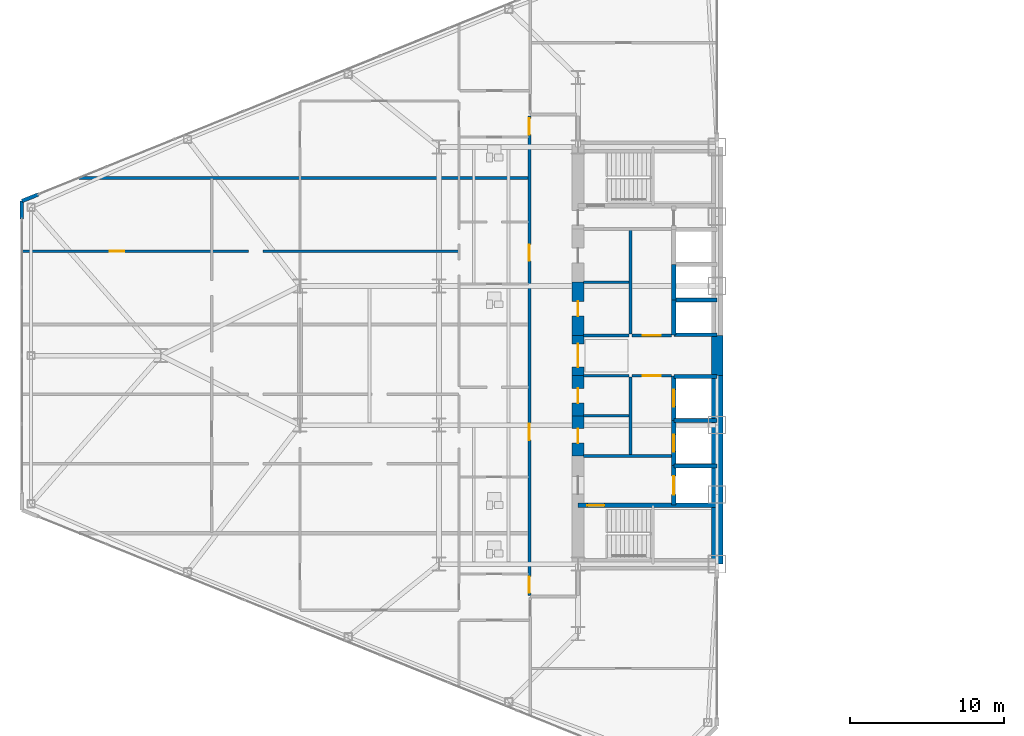
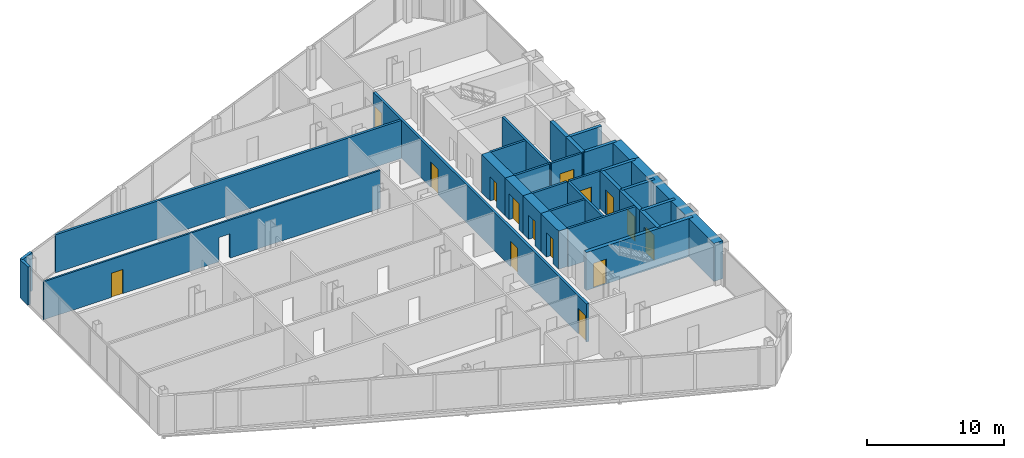
# One storey, part 18 of 25: 31 walls, 15 doors, 16 openings.
"""IFC4 building model written with IfcOpenShell, lengths in metres."""

from ifc_helpers import new_model, si_unit, direction, frame, frame_2d, origin, place, context, subcontext, project, spatial, rectangle, extrude, source, transform, mapped, material, layer, layer_set, type_object, type_shapes, element, fill, save


model = new_model("IFC4")

# Units and contexts
model_context = context("Model", 3, precision=1e-05, world=origin(), true_north=direction((0.0, 1.0)))
body_context = subcontext(model_context, "Body", "Model", "MODEL_VIEW")
ifc_project = project(units=[si_unit("LENGTHUNIT", "METRE"), si_unit("AREAUNIT", "SQUARE_METRE"), si_unit("VOLUMEUNIT", "CUBIC_METRE"), si_unit("PLANEANGLEUNIT", "RADIAN"), si_unit("MASSUNIT", "GRAM", prefix="KILO")], contexts=[model_context])

# Site, building, storey
site_placement = place(None, origin())
site = spatial("IfcSite", under=ifc_project, at=site_placement, CompositionType="ELEMENT")
building_placement = place(site_placement, origin())
building = spatial("IfcBuilding", under=site, at=building_placement, Name="Seokmaru Belvedere", CompositionType="ELEMENT")
storey_placement = place(building_placement, frame((0.0, 0.0, 26.10009765625)))
storey = spatial("IfcBuildingStorey", under=building, at=storey_placement, Name="L06", CompositionType="ELEMENT", Elevation=26.10009765625)

# Wall, openings, door
ifc_material_1 = material(Name="Fire-Rated Gypsum Shaftwall")
ifc_layer_1 = layer(ifc_material_1, 0.14990234375)
ifc_layer_set_1 = layer_set([ifc_layer_1], Name="Fire-Rated Gypsum Shaftwall")
wall_type_1 = type_object("IfcWallType", Name="Apartment Fire-Acoustic Room Partition 150", PredefinedType="PARTITIONING", material=ifc_layer_set_1)
wall_1_placement = place(storey_placement, frame((-72.534912109375, 6.75, 0.0), z_axis=(0.0, 0.0, 1.0), x_axis=(1.0, 0.0, 0.0)))
wall_1 = element("IfcWall", 1, at=wall_1_placement, inside=storey, type_object=wall_type_1, Name="L06 Interior Partition 024", PredefinedType="PARTITIONING", context=body_context, shape_type="SweptSolid", body=[
    extrude(rectangle(XDim=28.284912109375, YDim=0.14990234375, at=frame_2d((14.142578125, 0.0))), origin(), (0.0, 0.0, 1.0), 3.3798828125),
])
opening_1_placement = place(wall_1_placement, frame((5.7099609375, 0.0, 0.0)))
opening_1 = element("IfcOpeningElement", 2, at=opening_1_placement, cuts=wall_1, Name="Opening D05", PredefinedType="OPENING", context=body_context, shape_type="SweptSolid", body=[
    extrude(rectangle(XDim=0.949951171875, YDim=2.14990234375, at=frame_2d((0.47509765625, 1.074951171875))), frame((0.0, 0.0849609375, 0.0), z_axis=(0.0, -1.0, 0.0), x_axis=(1.0, 0.0, 0.0)), (0.0, 0.0, 1.0), 0.169921875),
])
opening_2_placement = place(wall_1_placement, frame((14.7099609375, 0.0, 0.0)))
element("IfcOpeningElement", 3, at=opening_2_placement, cuts=wall_1, Name="L06 Cased Opening 029", PredefinedType="OPENING", context=body_context, shape_type="SweptSolid", body=[
    extrude(rectangle(XDim=0.949951171875, YDim=2.14990234375, at=frame_2d((0.47509765625, 1.074951171875))), frame((0.0, 0.0849609375, 0.0), z_axis=(0.0, -1.0, 0.0), x_axis=(1.0, 0.0, 0.0)), (0.0, 0.0, 1.0), 0.169921875),
])
ifc_material_2 = material(Name="Engineered White Oak Timber", Category="wood")
door_type_1 = type_object("IfcDoorType", Name="Apartment Interior Fire-Rated Oak Door 950x2150", OperationType="NOTDEFINED", PredefinedType="DOOR", material=ifc_material_2)
shared_shape_1 = source(origin(), body_context, "Body", "SweptSolid", [
    extrude(rectangle(XDim=0.949951171875, YDim=2.14990234375, at=frame_2d((0.47509765625, 1.074951171875))), frame((0.0, 0.02490234375, 0.0), z_axis=(0.0, -1.0, 0.0), x_axis=(1.0, 0.0, 0.0)), (0.0, 0.0, 1.0), 0.050048828125),
])
type_shapes(door_type_1, [shared_shape_1])
door_1_placement = place(opening_1_placement, origin())
door_1 = element("IfcDoor", 4, at=door_1_placement, inside=storey, type_object=door_type_1, Name="L06 Interior Door 028", OperationType="SINGLE_SWING_LEFT", OverallHeight=2.14990234375, OverallWidth=0.949951171875, PredefinedType="DOOR", context=body_context, shape_type="MappedRepresentation", body=[
    mapped(shared_shape_1, transform((0.0, 0.0, 0.0), scale=1.0)),
])
fill(opening_1, door_1)

# Walls
ifc_layer_2 = layer(ifc_material_1, 0.179931640625)
ifc_layer_set_2 = layer_set([ifc_layer_2], Name="Fire-Rated Gypsum Shaftwall")
wall_type_2 = type_object("IfcWallType", Name="Core Service Fire Partition 180", PredefinedType="PARTITIONING", material=ifc_layer_set_2)
wall_2_placement = place(storey_placement, frame((-36.14990234375, -6.5, 0.0), z_axis=(0.0, 0.0, 1.0), x_axis=(1.0, 0.0, 0.0)))
element("IfcWall", 5, at=wall_2_placement, inside=storey, type_object=wall_type_2, Name="L06 West Firefighting Lobby Partition", PredefinedType="PARTITIONING", context=body_context, shape_type="SweptSolid", body=[
    extrude(rectangle(XDim=5.699951171875, YDim=0.179931640625, at=frame_2d((2.85009765625, 0.0))), origin(), (0.0, 0.0, 1.0), 3.3798828125),
])
wall_3_placement = place(storey_placement, frame((-33.10009765625, -6.419921875, 0.0), z_axis=(0.0, 0.0, 1.0), x_axis=(0.0, 1.0, 0.0)))
element("IfcWall", 6, at=wall_3_placement, inside=storey, type_object=wall_type_2, Name="L06 West South Core Service Back Wall", PredefinedType="PARTITIONING", context=body_context, shape_type="SweptSolid", body=[
    extrude(rectangle(XDim=5.0400390625, YDim=0.179931640625, at=frame_2d((2.52001953125, 0.0))), origin(), (0.0, 0.0, 1.0), 3.3798828125),
])
wall_4_placement = place(storey_placement, frame((-33.10009765625, 1.3798828125, 0.0), z_axis=(0.0, 0.0, 1.0), x_axis=(0.0, 1.0, 0.0)))
element("IfcWall", 7, at=wall_4_placement, inside=storey, type_object=wall_type_2, Name="L06 West North Core Service Back Wall", PredefinedType="PARTITIONING", context=body_context, shape_type="SweptSolid", body=[
    extrude(rectangle(XDim=6.740234375, YDim=0.179931640625, at=frame_2d((3.3701171875, 0.0))), origin(), (0.0, 0.0, 1.0), 3.3798828125),
])

# Wall, opening, door
wall_5_placement = place(storey_placement, frame((-33.02001953125, -1.300048828125, 0.0), z_axis=(0.0, 0.0, 1.0), x_axis=(1.0, 0.0, 0.0)))
wall_5 = element("IfcWall", 8, at=wall_5_placement, inside=storey, type_object=wall_type_2, Name="L06 West South Lift Lobby Foyer Wall", PredefinedType="PARTITIONING", context=body_context, shape_type="SweptSolid", body=[
    extrude(rectangle(XDim=2.570068359375, YDim=0.179931640625, at=frame_2d((1.28515625, 0.0))), origin(), (0.0, 0.0, 1.0), 3.3798828125),
])
opening_3_placement = place(wall_5_placement, frame((0.7099609375, 0.0, 0.0)))
opening_3 = element("IfcOpeningElement", 9, at=opening_3_placement, cuts=wall_5, Name="Opening D02", PredefinedType="OPENING", context=body_context, shape_type="SweptSolid", body=[
    extrude(rectangle(XDim=1.14990234375, YDim=2.199951171875, at=frame_2d((0.574951171875, 1.10009765625))), frame((0.0, 0.10009765625, 0.0), z_axis=(0.0, -1.0, 0.0), x_axis=(1.0, 0.0, 0.0)), (0.0, 0.0, 1.0), 0.199951171875),
])
ifc_material_3 = material(Name="Fire-Rated Steel Leaf", Category="steel")
door_type_2 = type_object("IfcDoorType", Name="Lobby and Vestibule Fire Door 1150x2200", OperationType="NOTDEFINED", PredefinedType="DOOR", material=ifc_material_3)
shared_shape_2 = source(origin(), body_context, "Body", "SweptSolid", [
    extrude(rectangle(XDim=1.14990234375, YDim=2.199951171875, at=frame_2d((0.574951171875, 1.10009765625))), frame((0.0, 0.02490234375, 0.0), z_axis=(0.0, -1.0, 0.0), x_axis=(1.0, 0.0, 0.0)), (0.0, 0.0, 1.0), 0.050048828125),
])
type_shapes(door_type_2, [shared_shape_2])
door_2_placement = place(opening_3_placement, origin())
door_2 = element("IfcDoor", 10, at=door_2_placement, inside=storey, type_object=door_type_2, Name="L06 West South Core Foyer Door", OperationType="SINGLE_SWING_LEFT", OverallHeight=2.199951171875, OverallWidth=1.14990234375, PredefinedType="DOOR", context=body_context, shape_type="MappedRepresentation", body=[
    mapped(shared_shape_2, transform((0.0, 0.0, 0.0), scale=1.0)),
])
fill(opening_3, door_2)

wall_6_placement = place(storey_placement, frame((-33.02001953125, 1.300048828125, 0.0), z_axis=(0.0, 0.0, 1.0), x_axis=(1.0, 0.0, 0.0)))
wall_6 = element("IfcWall", 11, at=wall_6_placement, inside=storey, type_object=wall_type_2, Name="L06 West North Lift Lobby Foyer Wall", PredefinedType="PARTITIONING", context=body_context, shape_type="SweptSolid", body=[
    extrude(rectangle(XDim=2.570068359375, YDim=0.179931640625, at=frame_2d((1.28515625, 0.0))), origin(), (0.0, 0.0, 1.0), 3.3798828125),
])
opening_4_placement = place(wall_6_placement, frame((0.7099609375, 0.0, 0.0)))
opening_4 = element("IfcOpeningElement", 12, at=opening_4_placement, cuts=wall_6, Name="Opening D02", PredefinedType="OPENING", context=body_context, shape_type="SweptSolid", body=[
    extrude(rectangle(XDim=1.14990234375, YDim=2.199951171875, at=frame_2d((0.574951171875, 1.10009765625))), frame((0.0, 0.10009765625, 0.0), z_axis=(0.0, -1.0, 0.0), x_axis=(1.0, 0.0, 0.0)), (0.0, 0.0, 1.0), 0.199951171875),
])
door_3_placement = place(opening_4_placement, origin())
door_3 = element("IfcDoor", 13, at=door_3_placement, inside=storey, type_object=door_type_2, Name="L06 West North Lift Lobby Door", OperationType="SINGLE_SWING_RIGHT", OverallHeight=2.199951171875, OverallWidth=1.14990234375, PredefinedType="DOOR", context=body_context, shape_type="MappedRepresentation", body=[
    mapped(shared_shape_2, transform((0.0, 0.0, 0.0), scale=1.0)),
])
fill(opening_4, door_3)

# Walls
for number, where, z_axis, x_axis, name in (
    (14, (-36.14990234375, -1.300048828125, 0.0), (0.0, 0.0, 1.0), (1.0, 0.0, 0.0), "L06 West Foyer Side Wall S"),
    (15, (-36.14990234375, 1.300048828125, 0.0), (0.0, 0.0, 1.0), (1.0, 0.0, 0.0), "L06 West Foyer Side Wall N"),
    (16, (-36.14990234375, -3.89990234375, 0.0), (0.0, 0.0, 1.0), (1.0, 0.0, 0.0), "L06 West Core Service Partition 1"),
    (17, (-36.14990234375, 4.75, 0.0), (0.0, 0.0, 1.0), (1.0, 0.0, 0.0), "L06 West Core Service Partition 2"),
):
    element("IfcWall", number, at=place(storey_placement, frame(where, z_axis=z_axis, x_axis=x_axis)), inside=storey, type_object=wall_type_2, Name=name, PredefinedType="PARTITIONING", context=body_context, shape_type="SweptSolid", body=[
        extrude(rectangle(XDim=2.949951171875, YDim=0.179931640625, at=frame_2d((1.47509765625, 0.0))), origin(), (0.0, 0.0, 1.0), 3.3798828125),
    ])
ifc_material_4 = material(Name="Concrete C50 (50 MPa)", Category="concrete")
ifc_layer_3 = layer(ifc_material_4, 0.25)
ifc_layer_set_3 = layer_set([ifc_layer_3], Name="Concrete C50 (50 MPa)")
wall_type_3 = type_object("IfcWallType", Name="Hoistway Transverse Concrete Divider Wall 250", PredefinedType="SHEAR", material=ifc_layer_set_3)
for number, where, z_axis, x_axis, name in (
    (18, (-30.300048828125, -7.14990234375, 0.0), (0.0, 0.0, 1.0), (1.0, 0.0, 0.0), "L06 West Hoistway Divider Core Wall 1"),
    (19, (-30.300048828125, -4.199951171875, 0.0), (0.0, 0.0, 1.0), (1.0, 0.0, 0.0), "L06 West Hoistway Divider Core Wall 2"),
    (20, (-30.300048828125, -1.35009765625, 0.0), (0.0, 0.0, 1.0), (1.0, 0.0, 0.0), "L06 West Hoistway Divider Core Wall 3"),
    (21, (-30.300048828125, 1.35009765625, 0.0), (0.0, 0.0, 1.0), (1.0, 0.0, 0.0), "L06 West Hoistway Divider Core Wall 4"),
    (22, (-30.300048828125, 3.60009765625, 0.0), (0.0, 0.0, 1.0), (1.0, 0.0, 0.0), "L06 West Hoistway Divider Core Wall 5"),
):
    element("IfcWall", number, at=place(storey_placement, frame(where, z_axis=z_axis, x_axis=x_axis)), inside=storey, type_object=wall_type_3, Name=name, PredefinedType="SHEAR", context=body_context, shape_type="SweptSolid", body=[
        extrude(rectangle(XDim=2.800048828125, YDim=0.25, at=frame_2d((1.39990234375, 0.0))), origin(), (0.0, 0.0, 1.0), 3.3798828125),
    ])
ifc_layer_4 = layer(ifc_material_1, 0.199951171875)
ifc_layer_set_4 = layer_set([ifc_layer_4], Name="Fire-Rated Gypsum Shaftwall")
wall_type_4 = type_object("IfcWallType", Name="Inter-Tenancy Fire Compartment Partition 200", PredefinedType="PARTITIONING", material=ifc_layer_set_4)
wall_7_placement = place(storey_placement, frame((-68.806884765625, 11.5, 0.0), z_axis=(0.0, 0.0, 1.0), x_axis=(1.0, 0.0, 0.0)))
element("IfcWall", 23, at=wall_7_placement, inside=storey, type_object=wall_type_4, Name="L06 Interior Partition 028", PredefinedType="PARTITIONING", context=body_context, shape_type="SweptSolid", body=[
    extrude(rectangle(XDim=29.076904296875, YDim=0.199951171875, at=frame_2d((14.53857421875, 0.0))), origin(), (0.0, 0.0, 1.0), 3.3798828125),
])

# Wall, openings, doors
wall_8_placement = place(storey_placement, frame((-39.64990234375, -15.514892578125, 0.0), z_axis=(0.0, 0.0, 1.0), x_axis=(0.0, 1.0, 0.0)))
wall_8 = element("IfcWall", 24, at=wall_8_placement, inside=storey, type_object=wall_type_4, Name="L06 Interior Partition 045", PredefinedType="PARTITIONING", context=body_context, shape_type="SweptSolid", body=[
    extrude(rectangle(XDim=31.02978515625, YDim=0.199951171875, at=frame_2d((15.514892578125, 0.0))), origin(), (0.0, 0.0, 1.0), 3.3798828125),
])
opening_5_placement = place(wall_8_placement, frame((0.159912109375, 0.0, 0.0)))
opening_5 = element("IfcOpeningElement", 25, at=opening_5_placement, cuts=wall_8, Name="Opening D03", PredefinedType="OPENING", context=body_context, shape_type="SweptSolid", body=[
    extrude(rectangle(XDim=1.050048828125, YDim=2.25, at=frame_2d((0.52490234375, 1.125))), frame((0.0, 0.10986328125, 0.0), z_axis=(0.0, -1.0, 0.0), x_axis=(1.0, 0.0, 0.0)), (0.0, 0.0, 1.0), 0.219970703125),
])
opening_6_placement = place(wall_8_placement, frame((10.03759765625, 0.0, 0.0)))
opening_6 = element("IfcOpeningElement", 26, at=opening_6_placement, cuts=wall_8, Name="Opening D03", PredefinedType="OPENING", context=body_context, shape_type="SweptSolid", body=[
    extrude(rectangle(XDim=1.050048828125, YDim=2.25, at=frame_2d((0.52490234375, 1.125))), frame((0.0, 0.10986328125, 0.0), z_axis=(0.0, -1.0, 0.0), x_axis=(1.0, 0.0, 0.0)), (0.0, 0.0, 1.0), 0.219970703125),
])
opening_7_placement = place(wall_8_placement, frame((21.638427734375, 0.0, 0.0)))
opening_7 = element("IfcOpeningElement", 27, at=opening_7_placement, cuts=wall_8, Name="Opening D03", PredefinedType="OPENING", context=body_context, shape_type="SweptSolid", body=[
    extrude(rectangle(XDim=1.050048828125, YDim=2.25, at=frame_2d((0.52490234375, 1.125))), frame((0.0, 0.10986328125, 0.0), z_axis=(0.0, -1.0, 0.0), x_axis=(1.0, 0.0, 0.0)), (0.0, 0.0, 1.0), 0.219970703125),
])
opening_8_placement = place(wall_8_placement, frame((29.820068359375, 0.0, 0.0)))
opening_8 = element("IfcOpeningElement", 28, at=opening_8_placement, cuts=wall_8, Name="Opening D03", PredefinedType="OPENING", context=body_context, shape_type="SweptSolid", body=[
    extrude(rectangle(XDim=1.050048828125, YDim=2.25, at=frame_2d((0.52490234375, 1.125))), frame((0.0, 0.10986328125, 0.0), z_axis=(0.0, -1.0, 0.0), x_axis=(1.0, 0.0, 0.0)), (0.0, 0.0, 1.0), 0.219970703125),
])
door_type_3 = type_object("IfcDoorType", Name="Apartment Entrance Fire Door 1050x2250", OperationType="NOTDEFINED", PredefinedType="DOOR", material=ifc_material_3)
shared_shape_3 = source(origin(), body_context, "Body", "SweptSolid", [
    extrude(rectangle(XDim=1.050048828125, YDim=2.25, at=frame_2d((0.52490234375, 1.125))), frame((0.0, 0.02490234375, 0.0), z_axis=(0.0, -1.0, 0.0), x_axis=(1.0, 0.0, 0.0)), (0.0, 0.0, 1.0), 0.050048828125),
])
type_shapes(door_type_3, [shared_shape_3])
door_4_placement = place(opening_5_placement, origin())
door_4 = element("IfcDoor", 29, at=door_4_placement, inside=storey, type_object=door_type_3, Name="L06 Interior Door 001", OperationType="SINGLE_SWING_RIGHT", OverallHeight=2.25, OverallWidth=1.050048828125, PredefinedType="DOOR", context=body_context, shape_type="MappedRepresentation", body=[
    mapped(shared_shape_3, transform((0.0, 0.0, 0.0), scale=1.0)),
])
fill(opening_5, door_4)
door_5_placement = place(opening_6_placement, origin())
door_5 = element("IfcDoor", 30, at=door_5_placement, inside=storey, type_object=door_type_3, Name="L06 Interior Door 009", OperationType="SINGLE_SWING_LEFT", OverallHeight=2.25, OverallWidth=1.050048828125, PredefinedType="DOOR", context=body_context, shape_type="MappedRepresentation", body=[
    mapped(shared_shape_3, transform((0.0, 0.0, 0.0), scale=1.0)),
])
fill(opening_6, door_5)
door_6_placement = place(opening_7_placement, origin())
door_6 = element("IfcDoor", 31, at=door_6_placement, inside=storey, type_object=door_type_3, Name="L06 Interior Door 021", OperationType="SINGLE_SWING_RIGHT", OverallHeight=2.25, OverallWidth=1.050048828125, PredefinedType="DOOR", context=body_context, shape_type="MappedRepresentation", body=[
    mapped(shared_shape_3, transform((0.0, 0.0, 0.0), scale=1.0)),
])
fill(opening_7, door_6)
door_7_placement = place(opening_8_placement, origin())
door_7 = element("IfcDoor", 32, at=door_7_placement, inside=storey, type_object=door_type_3, Name="L06 Interior Door 030", OperationType="SINGLE_SWING_LEFT", OverallHeight=2.25, OverallWidth=1.050048828125, PredefinedType="DOOR", context=body_context, shape_type="MappedRepresentation", body=[
    mapped(shared_shape_3, transform((0.0, 0.0, 0.0), scale=1.0)),
])
fill(opening_8, door_7)

# Wall, opening, door
ifc_layer_5 = layer(ifc_material_4, 0.300048828125)
ifc_layer_set_5 = layer_set([ifc_layer_5], Name="Concrete C50 (50 MPa)")
wall_type_5 = type_object("IfcWallType", Name="Internal Core Stair and Hoistway Wall 300", PredefinedType="SHEAR", material=ifc_layer_set_5)
wall_9_placement = place(storey_placement, frame((-36.5, -9.699951171875, 0.0), z_axis=(0.0, 0.0, 1.0), x_axis=(1.0, 0.0, 0.0)))
wall_9 = element("IfcWall", 33, at=wall_9_placement, inside=storey, type_object=wall_type_5, Name="L06 West Stair ST-1 Enclosure Wall", PredefinedType="SHEAR", context=body_context, shape_type="SweptSolid", body=[
    extrude(rectangle(XDim=9.0, YDim=0.300048828125, at=frame_2d((4.5, 0.0))), origin(), (0.0, 0.0, 1.0), 3.3798828125),
])
opening_9_placement = place(wall_9_placement, frame((0.60009765625, 0.0, 0.0)))
opening_9 = element("IfcOpeningElement", 34, at=opening_9_placement, cuts=wall_9, Name="Opening D01", PredefinedType="OPENING", context=body_context, shape_type="SweptSolid", body=[
    extrude(rectangle(XDim=1.10009765625, YDim=2.199951171875, at=frame_2d((0.550048828125, 1.10009765625))), frame((0.0, 0.16015625, 0.0), z_axis=(0.0, -1.0, 0.0), x_axis=(1.0, 0.0, 0.0)), (0.0, 0.0, 1.0), 0.320068359375),
])
door_type_4 = type_object("IfcDoorType", Name="Special Escape Stair Smokeproof Fire Door 1100x2200", OperationType="NOTDEFINED", PredefinedType="DOOR", material=ifc_material_3)
shared_shape_4 = source(origin(), body_context, "Body", "SweptSolid", [
    extrude(rectangle(XDim=1.10009765625, YDim=2.199951171875, at=frame_2d((0.550048828125, 1.10009765625))), frame((0.0, 0.02490234375, 0.0), z_axis=(0.0, -1.0, 0.0), x_axis=(1.0, 0.0, 0.0)), (0.0, 0.0, 1.0), 0.050048828125),
])
type_shapes(door_type_4, [shared_shape_4])
door_8_placement = place(opening_9_placement, frame((1.10009765625, 0.0, 0.0), z_axis=(0.0, 0.0, 1.0), x_axis=(-1.0, 0.0, 0.0)))
door_8 = element("IfcDoor", 35, at=door_8_placement, inside=storey, type_object=door_type_4, Name="L06 West Special Escape Stair ST-1 Door", OperationType="SINGLE_SWING_LEFT", OverallHeight=2.199951171875, OverallWidth=1.10009765625, PredefinedType="DOOR", context=body_context, shape_type="MappedRepresentation", body=[
    mapped(shared_shape_4, transform((0.0, 0.0, 0.0), scale=1.0)),
])
fill(opening_9, door_8)

wall_10_placement = place(storey_placement, frame((-30.300048828125, -9.679931640625, 0.0), z_axis=(0.0, 0.0, 1.0), x_axis=(0.0, 1.0, 0.0)))
wall_10 = element("IfcWall", 36, at=wall_10_placement, inside=storey, type_object=wall_type_5, Name="L06 West Firefighting Lift Shaft Front Wall", PredefinedType="SHEAR", context=body_context, shape_type="SweptSolid", body=[
    extrude(rectangle(XDim=2.559814453125, YDim=0.300048828125, at=frame_2d((1.27978515625, 0.0))), origin(), (0.0, 0.0, 1.0), 3.3798828125),
])
opening_10_placement = place(wall_10_placement, frame((0.679931640625, 0.0, 0.0)))
opening_10 = element("IfcOpeningElement", 37, at=opening_10_placement, cuts=wall_10, Name="Opening LD2", PredefinedType="OPENING", context=body_context, shape_type="SweptSolid", body=[
    extrude(rectangle(XDim=1.199951171875, YDim=2.25, at=frame_2d((0.60009765625, 1.125))), frame((0.0, 0.16015625, 0.0), z_axis=(0.0, -1.0, 0.0), x_axis=(1.0, 0.0, 0.0)), (0.0, 0.0, 1.0), 0.320068359375),
])
ifc_material_5 = material(Name="Stainless Steel 316", Category="steel")
door_type_5 = type_object("IfcDoorType", Name="Firefighting Lift Sliding Landing Door 1200x2250", OperationType="DOUBLE_DOOR_SLIDING", PredefinedType="DOOR", material=ifc_material_5)
shared_shape_5 = source(origin(), body_context, "Body", "SweptSolid", [
    extrude(rectangle(XDim=1.199951171875, YDim=2.25, at=frame_2d((0.60009765625, 1.125))), frame((0.0, 0.02490234375, 0.0), z_axis=(0.0, -1.0, 0.0), x_axis=(1.0, 0.0, 0.0)), (0.0, 0.0, 1.0), 0.050048828125),
])
type_shapes(door_type_5, [shared_shape_5])
door_9_placement = place(opening_10_placement, origin())
door_9 = element("IfcDoor", 38, at=door_9_placement, inside=storey, type_object=door_type_5, Name="L06 West Firefighting Lift Landing Door", OperationType="DOUBLE_DOOR_SLIDING", OverallHeight=2.25, OverallWidth=1.199951171875, PredefinedType="DOOR", context=body_context, shape_type="MappedRepresentation", body=[
    mapped(shared_shape_5, transform((0.0, 0.0, 0.0), scale=1.0)),
])
fill(opening_10, door_9)

wall_11_placement = place(storey_placement, frame((-30.300048828125, -7.1201171875, 0.0), z_axis=(0.0, 0.0, 1.0), x_axis=(0.0, 1.0, 0.0)))
wall_11 = element("IfcWall", 39, at=wall_11_placement, inside=storey, type_object=wall_type_5, Name="L06 West Low-Rise Lift PL-1 Front Wall", PredefinedType="SHEAR", context=body_context, shape_type="SweptSolid", body=[
    extrude(rectangle(XDim=2.920166015625, YDim=0.300048828125, at=frame_2d((1.4599609375, 0.0))), origin(), (0.0, 0.0, 1.0), 3.3798828125),
])
opening_11_placement = place(wall_11_placement, frame((0.909912109375, 0.0, 0.0)))
opening_11 = element("IfcOpeningElement", 40, at=opening_11_placement, cuts=wall_11, Name="Opening LD1", PredefinedType="OPENING", context=body_context, shape_type="SweptSolid", body=[
    extrude(rectangle(XDim=1.10009765625, YDim=2.199951171875, at=frame_2d((0.550048828125, 1.10009765625))), frame((0.0, 0.16015625, 0.0), z_axis=(0.0, -1.0, 0.0), x_axis=(1.0, 0.0, 0.0)), (0.0, 0.0, 1.0), 0.320068359375),
])
door_type_6 = type_object("IfcDoorType", Name="Passenger Lift Sliding Landing Door 1100x2200", OperationType="DOUBLE_DOOR_SLIDING", PredefinedType="DOOR", material=ifc_material_5)
shared_shape_6 = source(origin(), body_context, "Body", "SweptSolid", [
    extrude(rectangle(XDim=1.10009765625, YDim=2.199951171875, at=frame_2d((0.550048828125, 1.10009765625))), frame((0.0, 0.02490234375, 0.0), z_axis=(0.0, -1.0, 0.0), x_axis=(1.0, 0.0, 0.0)), (0.0, 0.0, 1.0), 0.050048828125),
])
type_shapes(door_type_6, [shared_shape_6])
door_10_placement = place(opening_11_placement, origin())
door_10 = element("IfcDoor", 41, at=door_10_placement, inside=storey, type_object=door_type_6, Name="L06 West Low-Rise Lift PL-1 Landing Door", OperationType="DOUBLE_DOOR_SLIDING", OverallHeight=2.199951171875, OverallWidth=1.10009765625, PredefinedType="DOOR", context=body_context, shape_type="MappedRepresentation", body=[
    mapped(shared_shape_6, transform((0.0, 0.0, 0.0), scale=1.0)),
])
fill(opening_11, door_10)

wall_12_placement = place(storey_placement, frame((-30.300048828125, -4.199951171875, 0.0), z_axis=(0.0, 0.0, 1.0), x_axis=(0.0, 1.0, 0.0)))
wall_12 = element("IfcWall", 42, at=wall_12_placement, inside=storey, type_object=wall_type_5, Name="L06 West Low-Rise Lift PL-2 Front Wall", PredefinedType="SHEAR", context=body_context, shape_type="SweptSolid", body=[
    extrude(rectangle(XDim=2.8798828125, YDim=0.300048828125, at=frame_2d((1.43994140625, 0.0))), origin(), (0.0, 0.0, 1.0), 3.3798828125),
])
opening_12_placement = place(wall_12_placement, frame((0.889892578125, 0.0, 0.0)))
opening_12 = element("IfcOpeningElement", 43, at=opening_12_placement, cuts=wall_12, Name="Opening LD1", PredefinedType="OPENING", context=body_context, shape_type="SweptSolid", body=[
    extrude(rectangle(XDim=1.10009765625, YDim=2.199951171875, at=frame_2d((0.550048828125, 1.10009765625))), frame((0.0, 0.16015625, 0.0), z_axis=(0.0, -1.0, 0.0), x_axis=(1.0, 0.0, 0.0)), (0.0, 0.0, 1.0), 0.320068359375),
])
door_11_placement = place(opening_12_placement, origin())
door_11 = element("IfcDoor", 44, at=door_11_placement, inside=storey, type_object=door_type_6, Name="L06 West Low-Rise Lift PL-2 Landing Door", OperationType="DOUBLE_DOOR_SLIDING", OverallHeight=2.199951171875, OverallWidth=1.10009765625, PredefinedType="DOOR", context=body_context, shape_type="MappedRepresentation", body=[
    mapped(shared_shape_6, transform((0.0, 0.0, 0.0), scale=1.0)),
])
fill(opening_12, door_11)

# Walls
wall_13_placement = place(storey_placement, frame((-30.300048828125, 1.320068359375, 0.0), z_axis=(0.0, 0.0, 1.0), x_axis=(0.0, 1.0, 0.0)))
element("IfcWall", 45, at=wall_13_placement, inside=storey, type_object=wall_type_5, Name="L06 West North Hoistway Wall PH1", PredefinedType="SHEAR", context=body_context, shape_type="SweptSolid", body=[
    extrude(rectangle(XDim=2.280029296875, YDim=0.300048828125, at=frame_2d((1.14013671875, 0.0))), origin(), (0.0, 0.0, 1.0), 3.3798828125),
])
wall_14_placement = place(storey_placement, frame((-30.300048828125, 3.60009765625, 0.0), z_axis=(0.0, 0.0, 1.0), x_axis=(0.0, 1.0, 0.0)))
element("IfcWall", 46, at=wall_14_placement, inside=storey, type_object=wall_type_5, Name="L06 West North Hoistway Wall PH2", PredefinedType="SHEAR", context=body_context, shape_type="SweptSolid", body=[
    extrude(rectangle(XDim=2.2998046875, YDim=0.300048828125, at=frame_2d((1.14990234375, 0.0))), origin(), (0.0, 0.0, 1.0), 3.3798828125),
])
ifc_material_6 = material(Name="Concrete C60 (60 MPa)", Category="concrete")
ifc_layer_6 = layer(ifc_material_6, 0.75)
ifc_layer_set_6 = layer_set([ifc_layer_6], Name="Concrete C60 (60 MPa)")
wall_type_6 = type_object("IfcWallType", Name="Lower Tower Reinforced Concrete Core Wall 750", PredefinedType="SHEAR", material=ifc_layer_set_6)
wall_15_placement = place(storey_placement, frame((-27.5, -13.5, 0.0), z_axis=(0.0, 0.0, 1.0), x_axis=(0.0, 1.0, 0.0)))
element("IfcWall", 47, at=wall_15_placement, inside=storey, type_object=wall_type_6, Name="L06 West Portal Spine Core Wall South", PredefinedType="SHEAR", context=body_context, shape_type="SweptSolid", body=[
    extrude(rectangle(XDim=12.199951171875, YDim=0.75, at=frame_2d((6.10009765625, 0.0))), origin(), (0.0, 0.0, 1.0), 3.3798828125),
])
wall_16_placement = place(storey_placement, frame((-27.5, -1.300048828125, 0.0), z_axis=(0.0, 0.0, 1.0), x_axis=(0.0, 1.0, 0.0)))
element("IfcWall", 48, at=wall_16_placement, inside=storey, type_object=wall_type_6, Name="L06 West Portal Spine Core Wall Center", PredefinedType="SHEAR", context=body_context, shape_type="SweptSolid", body=[
    extrude(rectangle(XDim=2.60009765625, YDim=0.75, at=frame_2d((1.300048828125, 0.0))), origin(), (0.0, 0.0, 1.0), 3.3798828125),
])

# Wall, opening, door
wall_17_placement = place(storey_placement, frame((-36.5, -1.300048828125, 0.0), z_axis=(0.0, 0.0, 1.0), x_axis=(0.0, 1.0, 0.0)))
wall_17 = element("IfcWall", 49, at=wall_17_placement, inside=storey, type_object=wall_type_6, Name="L06 West West Core Wall FOY", PredefinedType="SHEAR", context=body_context, shape_type="SweptSolid", body=[
    extrude(rectangle(XDim=2.60009765625, YDim=0.75, at=frame_2d((1.300048828125, 0.0))), origin(), (0.0, 0.0, 1.0), 3.3798828125),
])
opening_13_placement = place(wall_17_placement, frame((0.550048828125, 0.0, 0.0)))
opening_13 = element("IfcOpeningElement", 50, at=opening_13_placement, cuts=wall_17, Name="Opening D08", PredefinedType="OPENING", context=body_context, shape_type="SweptSolid", body=[
    extrude(rectangle(XDim=1.5, YDim=2.300048828125, at=frame_2d((0.75, 1.14990234375))), frame((0.0, 0.385009765625, 0.0), z_axis=(0.0, -1.0, 0.0), x_axis=(1.0, 0.0, 0.0)), (0.0, 0.0, 1.0), 0.77001953125),
])
door_type_7 = type_object("IfcDoorType", Name="Cross-Corridor Compartment Double Fire Door 1500x2300", OperationType="DOUBLE_SWING_LEFT", PredefinedType="DOOR", material=ifc_material_3)
shared_shape_7 = source(origin(), body_context, "Body", "SweptSolid", [
    extrude(rectangle(XDim=1.5, YDim=2.300048828125, at=frame_2d((0.75, 1.14990234375))), frame((0.0, 0.02490234375, 0.0), z_axis=(0.0, -1.0, 0.0), x_axis=(1.0, 0.0, 0.0)), (0.0, 0.0, 1.0), 0.050048828125),
])
type_shapes(door_type_7, [shared_shape_7])
door_12_placement = place(opening_13_placement, origin())
door_12 = element("IfcDoor", 51, at=door_12_placement, inside=storey, type_object=door_type_7, Name="L06 West Core Foyer Compartment Door", OperationType="DOUBLE_SWING_LEFT", OverallHeight=2.300048828125, OverallWidth=1.5, PredefinedType="DOOR", context=body_context, shape_type="MappedRepresentation", body=[
    mapped(shared_shape_7, transform((0.0, 0.0, 0.0), scale=1.0)),
])
fill(opening_13, door_12)

wall_18_placement = place(storey_placement, frame((-36.5, -6.5, 0.0), z_axis=(0.0, 0.0, 1.0), x_axis=(0.0, 1.0, 0.0)))
wall_18 = element("IfcWall", 52, at=wall_18_placement, inside=storey, type_object=wall_type_6, Name="L06 West West Core Wall CS1", PredefinedType="SHEAR", context=body_context, shape_type="SweptSolid", body=[
    extrude(rectangle(XDim=2.60009765625, YDim=0.75, at=frame_2d((1.300048828125, 0.0))), origin(), (0.0, 0.0, 1.0), 3.3798828125),
])
opening_14_placement = place(wall_18_placement, frame((0.824951171875, 0.0, 0.0)))
opening_14 = element("IfcOpeningElement", 53, at=opening_14_placement, cuts=wall_18, Name="Opening D04", PredefinedType="OPENING", context=body_context, shape_type="SweptSolid", body=[
    extrude(rectangle(XDim=0.949951171875, YDim=2.14990234375, at=frame_2d((0.47509765625, 1.074951171875))), frame((0.0, 0.385009765625, 0.0), z_axis=(0.0, -1.0, 0.0), x_axis=(1.0, 0.0, 0.0)), (0.0, 0.0, 1.0), 0.77001953125),
])
door_type_8 = type_object("IfcDoorType", Name="Core Service Room Fire Door 950x2150", OperationType="NOTDEFINED", PredefinedType="DOOR", material=ifc_material_3)
shared_shape_8 = source(origin(), body_context, "Body", "SweptSolid", [
    extrude(rectangle(XDim=0.949951171875, YDim=2.14990234375, at=frame_2d((0.47509765625, 1.074951171875))), frame((0.0, 0.02490234375, 0.0), z_axis=(0.0, -1.0, 0.0), x_axis=(1.0, 0.0, 0.0)), (0.0, 0.0, 1.0), 0.050048828125),
])
type_shapes(door_type_8, [shared_shape_8])
door_13_placement = place(opening_14_placement, origin())
door_13 = element("IfcDoor", 54, at=door_13_placement, inside=storey, type_object=door_type_8, Name="L06 West Core Service Room Door 1", OperationType="SINGLE_SWING_LEFT", OverallHeight=2.14990234375, OverallWidth=0.949951171875, PredefinedType="DOOR", context=body_context, shape_type="MappedRepresentation", body=[
    mapped(shared_shape_8, transform((0.0, 0.0, 0.0), scale=1.0)),
])
fill(opening_14, door_13)

wall_19_placement = place(storey_placement, frame((-36.5, -3.89990234375, 0.0), z_axis=(0.0, 0.0, 1.0), x_axis=(0.0, 1.0, 0.0)))
wall_19 = element("IfcWall", 55, at=wall_19_placement, inside=storey, type_object=wall_type_6, Name="L06 West West Core Wall CS2", PredefinedType="SHEAR", context=body_context, shape_type="SweptSolid", body=[
    extrude(rectangle(XDim=2.599853515625, YDim=0.75, at=frame_2d((1.2998046875, 0.0))), origin(), (0.0, 0.0, 1.0), 3.3798828125),
])
opening_15_placement = place(wall_19_placement, frame((0.824951171875, 0.0, 0.0)))
opening_15 = element("IfcOpeningElement", 56, at=opening_15_placement, cuts=wall_19, Name="Opening D04", PredefinedType="OPENING", context=body_context, shape_type="SweptSolid", body=[
    extrude(rectangle(XDim=0.949951171875, YDim=2.14990234375, at=frame_2d((0.47509765625, 1.074951171875))), frame((0.0, 0.385009765625, 0.0), z_axis=(0.0, -1.0, 0.0), x_axis=(1.0, 0.0, 0.0)), (0.0, 0.0, 1.0), 0.77001953125),
])
door_14_placement = place(opening_15_placement, origin())
door_14 = element("IfcDoor", 57, at=door_14_placement, inside=storey, type_object=door_type_8, Name="L06 West Core Service Room Door 2", OperationType="SINGLE_SWING_RIGHT", OverallHeight=2.14990234375, OverallWidth=0.949951171875, PredefinedType="DOOR", context=body_context, shape_type="MappedRepresentation", body=[
    mapped(shared_shape_8, transform((0.0, 0.0, 0.0), scale=1.0)),
])
fill(opening_15, door_14)

wall_20_placement = place(storey_placement, frame((-36.5, 1.300048828125, 0.0), z_axis=(0.0, 0.0, 1.0), x_axis=(0.0, 1.0, 0.0)))
wall_20 = element("IfcWall", 58, at=wall_20_placement, inside=storey, type_object=wall_type_6, Name="L06 West West Core Wall CS3", PredefinedType="SHEAR", context=body_context, shape_type="SweptSolid", body=[
    extrude(rectangle(XDim=3.449951171875, YDim=0.75, at=frame_2d((1.72509765625, 0.0))), origin(), (0.0, 0.0, 1.0), 3.3798828125),
])
opening_16_placement = place(wall_20_placement, frame((1.25, 0.0, 0.0)))
opening_16 = element("IfcOpeningElement", 59, at=opening_16_placement, cuts=wall_20, Name="Opening D04", PredefinedType="OPENING", context=body_context, shape_type="SweptSolid", body=[
    extrude(rectangle(XDim=0.949951171875, YDim=2.14990234375, at=frame_2d((0.47509765625, 1.074951171875))), frame((0.0, 0.385009765625, 0.0), z_axis=(0.0, -1.0, 0.0), x_axis=(1.0, 0.0, 0.0)), (0.0, 0.0, 1.0), 0.77001953125),
])
door_15_placement = place(opening_16_placement, origin())
door_15 = element("IfcDoor", 60, at=door_15_placement, inside=storey, type_object=door_type_8, Name="L06 West Core Service Room Door 3", OperationType="SINGLE_SWING_LEFT", OverallHeight=2.14990234375, OverallWidth=0.949951171875, PredefinedType="DOOR", context=body_context, shape_type="MappedRepresentation", body=[
    mapped(shared_shape_8, transform((0.0, 0.0, 0.0), scale=1.0)),
])
fill(opening_16, door_15)

# Walls
ifc_material_7 = material(Name="Anodised Bronze Aluminium", Category="aluminium")
ifc_layer_7 = layer(ifc_material_7, 0.239990234375)
ifc_layer_set_7 = layer_set([ifc_layer_7], Name="Anodised Bronze Aluminium")
wall_type_7 = type_object("IfcWallType", Name="Tower Corner Spandrel Closure Wall 240", PredefinedType="SOLIDWALL", material=ifc_layer_set_7)
for number, where, z_axis, x_axis, name in (
    (61, (-71.43408203125, 10.431396484375, 0.0), (0.0, 0.0, 1.0), (-0.927007103665, -0.375043770452, 0.0), "L06 W Corner Closure Pier 3B"),
    (62, (-72.5, 9.989990234375, 0.0), (0.0, 0.0, 1.0), (0.0, -1.0, 0.0), "L06 W Corner Closure Pier 4A"),
):
    element("IfcWall", number, at=place(storey_placement, frame(where, z_axis=z_axis, x_axis=x_axis)), inside=storey, type_object=wall_type_7, Name=name, PredefinedType="SOLIDWALL", context=body_context, shape_type="SweptSolid", body=[
        extrude(rectangle(XDim=1.139892578125, YDim=0.239990234375, at=frame_2d((0.56982421875, 0.0))), origin(), (0.0, 0.0, 1.0), 3.3798828125),
    ])

save(model, "model.ifc")
